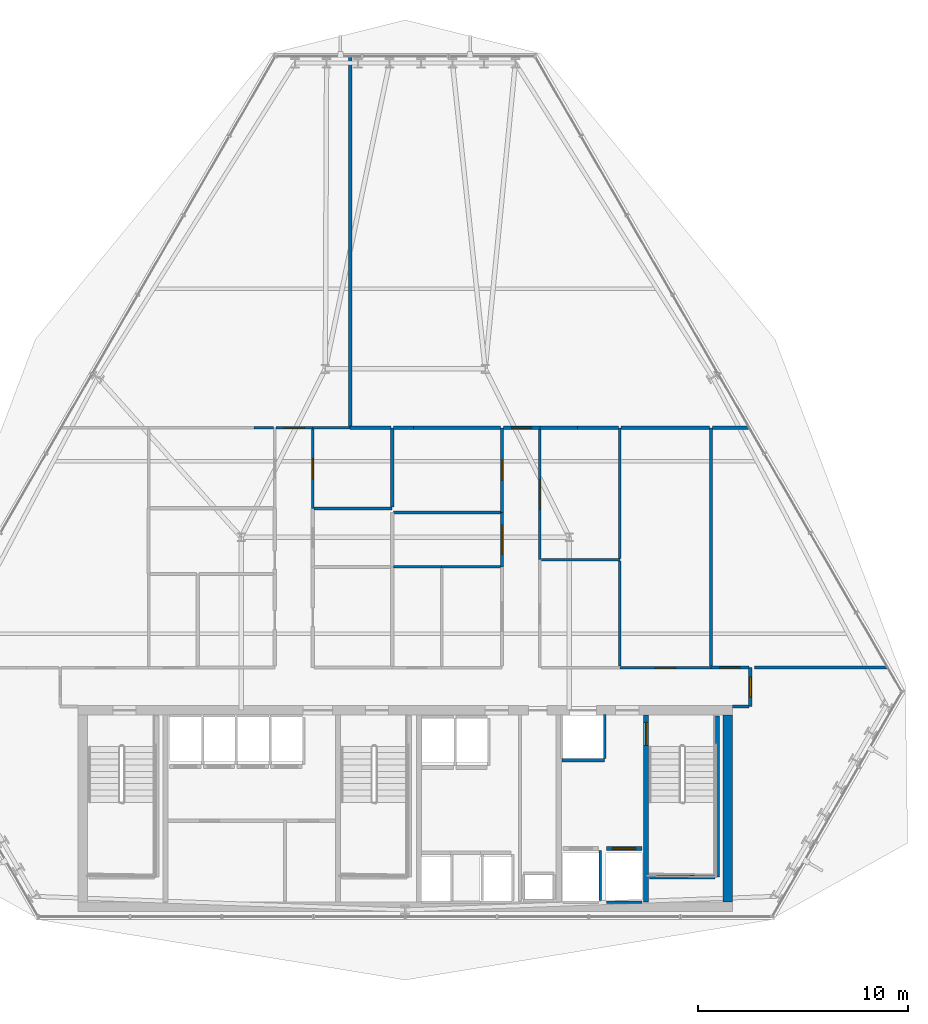
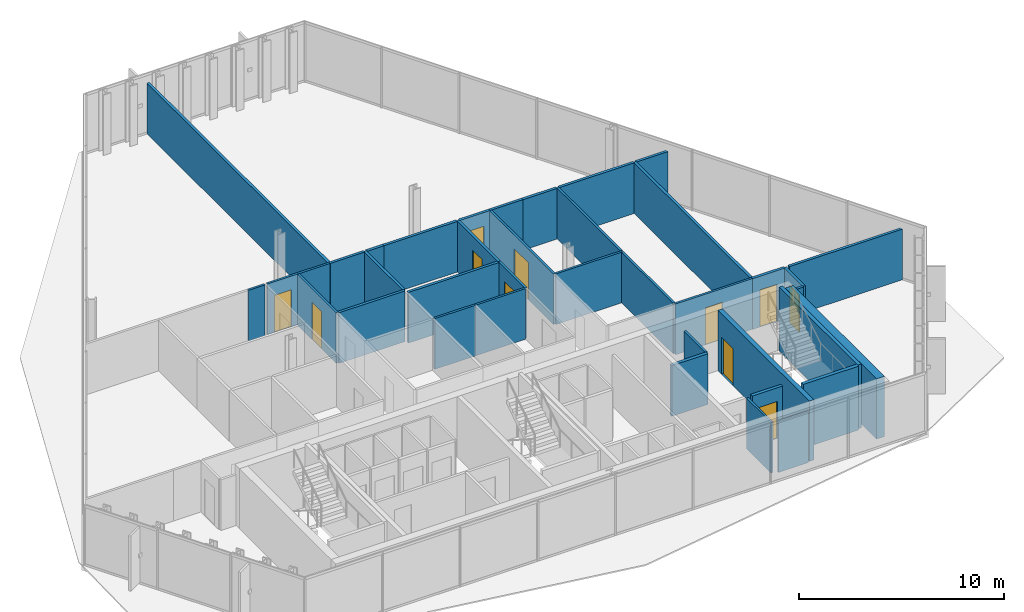
# One storey, part 29 of 36: 39 walls, 11 doors, 11 openings.
"""IFC4 building model written with IfcOpenShell, lengths in metres."""

from ifc_helpers import new_model, si_unit, direction, frame, frame_2d, origin, place, context, subcontext, project, spatial, rectangle, extrude, material, layer, layer_set, type_object, element, fill, save


model = new_model("IFC4")

# Units and contexts
model_context = context("Model", 3, precision=1e-05, world=origin(), true_north=direction((0.0, 1.0)))
body_context = subcontext(model_context, "Body", "Model", "MODEL_VIEW")
ifc_project = project(units=[si_unit("LENGTHUNIT", "METRE"), si_unit("AREAUNIT", "SQUARE_METRE"), si_unit("VOLUMEUNIT", "CUBIC_METRE"), si_unit("PLANEANGLEUNIT", "RADIAN"), si_unit("MASSUNIT", "GRAM", prefix="KILO")], contexts=[model_context])

# Site, building, storey
site_placement = place(None, origin())
site = spatial("IfcSite", under=ifc_project, at=site_placement, CompositionType="ELEMENT")
building_placement = place(site_placement, origin())
building = spatial("IfcBuilding", under=site, at=building_placement, Name="Ndaravel Arena Tower", CompositionType="ELEMENT")
storey_placement = place(building_placement, frame((0.0, 0.0, 127.0)))
storey = spatial("IfcBuildingStorey", under=building, at=storey_placement, Name="L29", CompositionType="ELEMENT", Elevation=127.0)

# Wall, opening, door
ifc_material_1 = material(Name="Concrete C60/75", Category="concrete")
ifc_layer_1 = layer(ifc_material_1, 0.25)
ifc_layer_set_1 = layer_set([ifc_layer_1], Name="Concrete C60/75")
wall_type_1 = type_object("IfcWallType", Name="WALL-CORE-250", PredefinedType="SOLIDWALL", material=ifc_layer_set_1)
wall_1_placement = place(storey_placement, frame((53.449951171875, 5.85009765625, 0.0), z_axis=(0.0, 0.0, 1.0), x_axis=(0.0, 1.0, 0.0)))
wall_1 = element("IfcWall", 1, at=wall_1_placement, inside=storey, type_object=wall_type_1, Name="L29 Core Web Shear Wall 5", PredefinedType="SOLIDWALL", context=body_context, shape_type="SweptSolid", body=[
    extrude(rectangle(XDim=8.89990234375, YDim=0.25, at=frame_2d((4.449951171875, 0.0))), origin(), (0.0, 0.0, 1.0), 3.580078125),
])
opening_1_placement = place(wall_1_placement, frame((7.449951171875, 0.0, 0.0)))
opening_1 = element("IfcOpeningElement", 2, at=opening_1_placement, cuts=wall_1, Name="Opening FD-01", PredefinedType="OPENING", context=body_context, shape_type="SweptSolid", body=[
    extrude(rectangle(XDim=1.10009765625, YDim=2.199951171875, at=frame_2d((0.550048828125, 1.10009765625))), frame((0.0, 0.125, 0.0), z_axis=(0.0, -1.0, 0.0), x_axis=(1.0, 0.0, 0.0)), (0.0, 0.0, 1.0), 0.25),
])
ifc_material_2 = material(Name="Steel S355", Category="steel")
door_type_1 = type_object("IfcDoorType", Name="DT-01-STAIR-1100", OperationType="SINGLE_SWING_LEFT", PredefinedType="DOOR", material=ifc_material_2)
door_1_placement = place(opening_1_placement, origin())
door_1 = element("IfcDoor", 3, at=door_1_placement, inside=storey, type_object=door_type_1, Name="L29 Firefighting Lobby to ST-3 Door", OperationType="SINGLE_SWING_LEFT", OverallHeight=2.199951171875, OverallWidth=1.10009765625, PredefinedType="DOOR", context=body_context, shape_type="SweptSolid", body=[
    extrude(rectangle(XDim=1.10009765625, YDim=2.199951171875, at=frame_2d((0.550048828125, 1.10009765625))), frame((0.0, 0.02490234375, 0.0), z_axis=(0.0, -1.0, 0.0), x_axis=(1.0, 0.0, 0.0)), (0.0, 0.0, 1.0), 0.050048828125),
])
fill(opening_1, door_1)

# Wall
ifc_material_3 = material(Name="Concrete C60/75", Category="concrete")
ifc_layer_2 = layer(ifc_material_3, 0.449951171875)
ifc_layer_set_2 = layer_set([ifc_layer_2], Name="Concrete C60/75")
wall_type_2 = type_object("IfcWallType", Name="WALL-CORE-450", PredefinedType="SOLIDWALL", material=ifc_layer_set_2)
wall_2_placement = place(storey_placement, frame((57.324951171875, 5.85009765625, 0.0), z_axis=(0.0, 0.0, 1.0), x_axis=(0.0, 1.0, 0.0)))
element("IfcWall", 4, at=wall_2_placement, inside=storey, type_object=wall_type_2, Name="L29 Core East Shear Wall", PredefinedType="SOLIDWALL", context=body_context, shape_type="SweptSolid", body=[
    extrude(rectangle(XDim=8.89990234375, YDim=0.449951171875, at=frame_2d((4.449951171875, 0.0))), origin(), (0.0, 0.0, 1.0), 3.580078125),
])

# Wall, opening, door
ifc_material_4 = material(Name="Gypsum", Category="gypsum")
ifc_layer_3 = layer(ifc_material_4, 0.125)
ifc_layer_set_3 = layer_set([ifc_layer_3], Name="Gypsum")
wall_type_3 = type_object("IfcWallType", Name="WALL-PART-125", PredefinedType="PARTITIONING", material=ifc_layer_set_3)
wall_3_placement = place(storey_placement, frame((35.864990234375, 28.39990234375, 0.0), z_axis=(0.0, 0.0, 1.0), x_axis=(1.0, 0.0, 0.0)))
wall_3 = element("IfcWall", 5, at=wall_3_placement, inside=storey, type_object=wall_type_3, Name="L29 Interior Partition 011", PredefinedType="PARTITIONING", context=body_context, shape_type="SweptSolid", body=[
    extrude(rectangle(XDim=1.735107421875, YDim=0.125, at=frame_2d((0.86767578125, 0.0))), origin(), (0.0, 0.0, 1.0), 3.010498046875),
])
opening_2_placement = place(wall_3_placement, frame((0.392578125, 0.0, 0.0)))
opening_2 = element("IfcOpeningElement", 6, at=opening_2_placement, cuts=wall_3, Name="Opening ID-01", PredefinedType="OPENING", context=body_context, shape_type="SweptSolid", body=[
    extrude(rectangle(XDim=0.949951171875, YDim=2.199951171875, at=frame_2d((0.47509765625, 1.10009765625))), frame((0.0, 0.0625, 0.0), z_axis=(0.0, -1.0, 0.0), x_axis=(1.0, 0.0, 0.0)), (0.0, 0.0, 1.0), 0.125),
])
ifc_material_5 = material(Name="Timber", Category="wood")
door_type_2 = type_object("IfcDoorType", Name="DT-03-OFFICE-950", OperationType="SINGLE_SWING_LEFT", PredefinedType="DOOR", material=ifc_material_5)
door_2_placement = place(opening_2_placement, origin())
door_2 = element("IfcDoor", 7, at=door_2_placement, inside=storey, type_object=door_type_2, Name="L29 Training Classroom 8 Door", OperationType="SINGLE_SWING_RIGHT", OverallHeight=2.199951171875, OverallWidth=0.949951171875, PredefinedType="DOOR", context=body_context, shape_type="SweptSolid", body=[
    extrude(rectangle(XDim=0.949951171875, YDim=2.199951171875, at=frame_2d((0.47509765625, 1.10009765625))), frame((0.0, 0.02490234375, 0.0), z_axis=(0.0, -1.0, 0.0), x_axis=(1.0, 0.0, 0.0)), (0.0, 0.0, 1.0), 0.050048828125),
])
fill(opening_2, door_2)

wall_4_placement = place(storey_placement, frame((37.60009765625, 28.3349609375, 0.0), z_axis=(0.0, 0.0, 1.0), x_axis=(0.0, -1.0, 0.0)))
wall_4 = element("IfcWall", 8, at=wall_4_placement, inside=storey, type_object=wall_type_3, Name="L29 Interior Partition 012", PredefinedType="PARTITIONING", context=body_context, shape_type="SweptSolid", body=[
    extrude(rectangle(XDim=3.77001953125, YDim=0.125, at=frame_2d((1.885009765625, 0.0))), origin(), (0.0, 0.0, 1.0), 3.010498046875),
])
opening_3_placement = place(wall_4_placement, frame((1.409912109375, 0.0, 0.0)))
opening_3 = element("IfcOpeningElement", 9, at=opening_3_placement, cuts=wall_4, Name="Opening ID-01", PredefinedType="OPENING", context=body_context, shape_type="SweptSolid", body=[
    extrude(rectangle(XDim=0.949951171875, YDim=2.199951171875, at=frame_2d((0.47509765625, 1.10009765625))), frame((0.0, 0.0625, 0.0), z_axis=(0.0, -1.0, 0.0), x_axis=(1.0, 0.0, 0.0)), (0.0, 0.0, 1.0), 0.125),
])
door_3_placement = place(opening_3_placement, origin())
door_3 = element("IfcDoor", 10, at=door_3_placement, inside=storey, type_object=door_type_2, Name="L29 Project Seminar Room 7 Door", OperationType="SINGLE_SWING_RIGHT", OverallHeight=2.199951171875, OverallWidth=0.949951171875, PredefinedType="DOOR", context=body_context, shape_type="SweptSolid", body=[
    extrude(rectangle(XDim=0.949951171875, YDim=2.199951171875, at=frame_2d((0.47509765625, 1.10009765625))), frame((0.0, 0.02490234375, 0.0), z_axis=(0.0, -1.0, 0.0), x_axis=(1.0, 0.0, 0.0)), (0.0, 0.0, 1.0), 0.050048828125),
])
fill(opening_3, door_3)

wall_5_placement = place(storey_placement, frame((46.60009765625, 21.7880859375, 0.0), z_axis=(0.0, 0.0, 1.0), x_axis=(0.0, 1.0, 0.0)))
wall_5 = element("IfcWall", 11, at=wall_5_placement, inside=storey, type_object=wall_type_3, Name="L29 Interior Partition 019", PredefinedType="PARTITIONING", context=body_context, shape_type="SweptSolid", body=[
    extrude(rectangle(XDim=2.57861328125, YDim=0.125, at=frame_2d((1.289306640625, 0.0))), origin(), (0.0, 0.0, 1.0), 3.010498046875),
])
opening_4_placement = place(wall_5_placement, frame((0.58935546875, 0.0, 0.0)))
opening_4 = element("IfcOpeningElement", 12, at=opening_4_placement, cuts=wall_5, Name="Opening ID-02", PredefinedType="OPENING", context=body_context, shape_type="SweptSolid", body=[
    extrude(rectangle(XDim=1.39990234375, YDim=2.199951171875, at=frame_2d((0.699951171875, 1.10009765625))), frame((0.0, 0.0625, 0.0), z_axis=(0.0, -1.0, 0.0), x_axis=(1.0, 0.0, 0.0)), (0.0, 0.0, 1.0), 0.125),
])
ifc_material_6 = material(Name="Timber", Category="wood")
door_type_3 = type_object("IfcDoorType", Name="DT-04-SUITE-1400", OperationType="DOUBLE_DOOR_SINGLE_SWING", PredefinedType="DOOR", material=ifc_material_6)
door_4_placement = place(opening_4_placement, origin())
door_4 = element("IfcDoor", 13, at=door_4_placement, inside=storey, type_object=door_type_3, Name="L29 Executive Boardroom 5 Door", OperationType="SINGLE_SWING_RIGHT", OverallHeight=2.199951171875, OverallWidth=1.39990234375, PredefinedType="DOOR", context=body_context, shape_type="SweptSolid", body=[
    extrude(rectangle(XDim=1.39990234375, YDim=2.199951171875, at=frame_2d((0.699951171875, 1.10009765625))), frame((0.0, 0.02490234375, 0.0), z_axis=(0.0, -1.0, 0.0), x_axis=(1.0, 0.0, 0.0)), (0.0, 0.0, 1.0), 0.050048828125),
])
fill(opening_4, door_4)

wall_6_placement = place(storey_placement, frame((48.39990234375, 28.3349609375, 0.0), z_axis=(0.0, 0.0, 1.0), x_axis=(0.0, -1.0, 0.0)))
wall_6 = element("IfcWall", 14, at=wall_6_placement, inside=storey, type_object=wall_type_3, Name="L29 Interior Partition 022", PredefinedType="PARTITIONING", context=body_context, shape_type="SweptSolid", body=[
    extrude(rectangle(XDim=6.205078125, YDim=0.125, at=frame_2d((3.1025390625, 0.0))), origin(), (0.0, 0.0, 1.0), 3.010498046875),
])
opening_5_placement = place(wall_6_placement, frame((2.402587890625, 0.0, 0.0)))
opening_5 = element("IfcOpeningElement", 15, at=opening_5_placement, cuts=wall_6, Name="Opening ID-02", PredefinedType="OPENING", context=body_context, shape_type="SweptSolid", body=[
    extrude(rectangle(XDim=1.39990234375, YDim=2.199951171875, at=frame_2d((0.699951171875, 1.10009765625))), frame((0.0, 0.0625, 0.0), z_axis=(0.0, -1.0, 0.0), x_axis=(1.0, 0.0, 0.0)), (0.0, 0.0, 1.0), 0.125),
])
door_5_placement = place(opening_5_placement, origin())
door_5 = element("IfcDoor", 16, at=door_5_placement, inside=storey, type_object=door_type_3, Name="L29 Client Conference Room 6 Door", OperationType="SINGLE_SWING_RIGHT", OverallHeight=2.199951171875, OverallWidth=1.39990234375, PredefinedType="DOOR", context=body_context, shape_type="SweptSolid", body=[
    extrude(rectangle(XDim=1.39990234375, YDim=2.199951171875, at=frame_2d((0.699951171875, 1.10009765625))), frame((0.0, 0.02490234375, 0.0), z_axis=(0.0, -1.0, 0.0), x_axis=(1.0, 0.0, 0.0)), (0.0, 0.0, 1.0), 0.050048828125),
])
fill(opening_5, door_5)

wall_7_placement = place(storey_placement, frame((52.199951171875, 17.0, 0.0), z_axis=(0.0, 0.0, 1.0), x_axis=(1.0, 0.0, 0.0)))
wall_7 = element("IfcWall", 17, at=wall_7_placement, inside=storey, type_object=wall_type_3, Name="L29 Interior Partition 025", PredefinedType="PARTITIONING", context=body_context, shape_type="SweptSolid", body=[
    extrude(rectangle(XDim=4.33251953125, YDim=0.125, at=frame_2d((2.166259765625, 0.0))), origin(), (0.0, 0.0, 1.0), 3.010498046875),
])
opening_6_placement = place(wall_7_placement, frame((1.691162109375, 0.0, 0.0)))
opening_6 = element("IfcOpeningElement", 18, at=opening_6_placement, cuts=wall_7, Name="Opening ID-01", PredefinedType="OPENING", context=body_context, shape_type="SweptSolid", body=[
    extrude(rectangle(XDim=0.949951171875, YDim=2.199951171875, at=frame_2d((0.47509765625, 1.10009765625))), frame((0.0, 0.0625, 0.0), z_axis=(0.0, -1.0, 0.0), x_axis=(1.0, 0.0, 0.0)), (0.0, 0.0, 1.0), 0.125),
])
door_6_placement = place(opening_6_placement, origin())
door_6 = element("IfcDoor", 19, at=door_6_placement, inside=storey, type_object=door_type_2, Name="L29 Training Classroom 4 Door", OperationType="SINGLE_SWING_RIGHT", OverallHeight=2.199951171875, OverallWidth=0.949951171875, PredefinedType="DOOR", context=body_context, shape_type="SweptSolid", body=[
    extrude(rectangle(XDim=0.949951171875, YDim=2.199951171875, at=frame_2d((0.47509765625, 1.10009765625))), frame((0.0, 0.02490234375, 0.0), z_axis=(0.0, -1.0, 0.0), x_axis=(1.0, 0.0, 0.0)), (0.0, 0.0, 1.0), 0.050048828125),
])
fill(opening_6, door_6)

# Walls
wall_8_placement = place(storey_placement, frame((41.445068359375, 21.7880859375, 0.0), z_axis=(0.0, 0.0, 1.0), x_axis=(1.0, 0.0, 0.0)))
element("IfcWall", 20, at=wall_8_placement, inside=storey, type_object=wall_type_3, Name="L29 Interior Partition 036", PredefinedType="PARTITIONING", context=body_context, shape_type="SweptSolid", body=[
    extrude(rectangle(XDim=2.283935546875, YDim=0.125, at=frame_2d((1.14208984375, 0.0))), origin(), (0.0, 0.0, 1.0), 3.010498046875),
])
wall_9_placement = place(storey_placement, frame((43.72900390625, 21.7880859375, 0.0), z_axis=(0.0, 0.0, 1.0), x_axis=(1.0, 0.0, 0.0)))
element("IfcWall", 21, at=wall_9_placement, inside=storey, type_object=wall_type_3, Name="L29 Interior Partition 038", PredefinedType="PARTITIONING", context=body_context, shape_type="SweptSolid", body=[
    extrude(rectangle(XDim=2.805908203125, YDim=0.125, at=frame_2d((1.40283203125, 0.0))), origin(), (0.0, 0.0, 1.0), 3.010498046875),
])
wall_10_placement = place(storey_placement, frame((48.465087890625, 22.1298828125, 0.0), z_axis=(0.0, 0.0, 1.0), x_axis=(1.0, 0.0, 0.0)))
element("IfcWall", 22, at=wall_10_placement, inside=storey, type_object=wall_type_3, Name="L29 Interior Partition 039", PredefinedType="PARTITIONING", context=body_context, shape_type="SweptSolid", body=[
    extrude(rectangle(XDim=3.73486328125, YDim=0.125, at=frame_2d((1.867431640625, 0.0))), origin(), (0.0, 0.0, 1.0), 3.010498046875),
])
wall_11_placement = place(storey_placement, frame((52.199951171875, 22.06494140625, 0.0), z_axis=(0.0, 0.0, 1.0), x_axis=(0.0, -1.0, 0.0)))
element("IfcWall", 23, at=wall_11_placement, inside=storey, type_object=wall_type_3, Name="L29 Interior Partition 040", PredefinedType="PARTITIONING", context=body_context, shape_type="SweptSolid", body=[
    extrude(rectangle(XDim=5.0, YDim=0.125, at=frame_2d((2.5, 0.0))), origin(), (0.0, 0.0, 1.0), 3.010498046875),
])
wall_12_placement = place(storey_placement, frame((52.199951171875, 22.195068359375, 0.0), z_axis=(0.0, 0.0, 1.0), x_axis=(0.0, 1.0, 0.0)))
element("IfcWall", 24, at=wall_12_placement, inside=storey, type_object=wall_type_3, Name="L29 Interior Partition 046", PredefinedType="PARTITIONING", context=body_context, shape_type="SweptSolid", body=[
    extrude(rectangle(XDim=6.204833984375, YDim=0.125, at=frame_2d((3.1025390625, 0.0))), origin(), (0.0, 0.0, 1.0), 3.010498046875),
])
wall_13_placement = place(storey_placement, frame((37.60009765625, 28.39990234375, 0.0), z_axis=(0.0, 0.0, 1.0), x_axis=(1.0, 0.0, 0.0)))
element("IfcWall", 25, at=wall_13_placement, inside=storey, type_object=wall_type_3, Name="L29 Interior Partition 057", PredefinedType="PARTITIONING", context=body_context, shape_type="SweptSolid", body=[
    extrude(rectangle(XDim=1.7822265625, YDim=0.125, at=frame_2d((0.89111328125, 0.0))), origin(), (0.0, 0.0, 1.0), 3.010498046875),
])
wall_14_placement = place(storey_placement, frame((34.800048828125, 28.39990234375, 0.0), z_axis=(0.0, 0.0, 1.0), x_axis=(1.0, 0.0, 0.0)))
element("IfcWall", 26, at=wall_14_placement, inside=storey, type_object=wall_type_3, Name="L29 Interior Partition 060", PredefinedType="PARTITIONING", context=body_context, shape_type="SweptSolid", body=[
    extrude(rectangle(XDim=0.93505859375, YDim=0.125, at=frame_2d((0.467529296875, 0.0))), origin(), (0.0, 0.0, 1.0), 3.010498046875),
])
ifc_material_7 = material(Name="Concrete C40/50", Category="concrete")
ifc_layer_4 = layer(ifc_material_7, 0.1201171875)
ifc_layer_set_4 = layer_set([ifc_layer_4], Name="Concrete C40/50")
wall_type_4 = type_object("IfcWallType", Name="WALL-SHAFT-120", PredefinedType="SOLIDWALL", material=ifc_layer_set_4)
wall_15_placement = place(storey_placement, frame((51.27490234375, 5.929931640625, 0.0), z_axis=(0.0, 0.0, 1.0), x_axis=(0.0, 1.0, 0.0)))
element("IfcWall", 27, at=wall_15_placement, inside=storey, type_object=wall_type_4, Name="L29 FFL-1 Shaft Side R Wall", PredefinedType="SOLIDWALL", context=body_context, shape_type="SweptSolid", body=[
    extrude(rectangle(XDim=2.380126953125, YDim=0.1201171875, at=frame_2d((1.18994140625, 0.0))), origin(), (0.0, 0.0, 1.0), 3.010498046875),
])
wall_16_placement = place(storey_placement, frame((51.554931640625, 5.840087890625, 0.0), z_axis=(0.0, 0.0, 1.0), x_axis=(1.0, 0.0, 0.0)))
element("IfcWall", 28, at=wall_16_placement, inside=storey, type_object=wall_type_4, Name="L29 FFL-2 Shaft Rear Wall", PredefinedType="SOLIDWALL", context=body_context, shape_type="SweptSolid", body=[
    extrude(rectangle(XDim=1.690185546875, YDim=0.1201171875, at=frame_2d((0.84521484375, 0.0))), origin(), (0.0, 0.0, 1.0), 3.010498046875),
])
wall_17_placement = place(storey_placement, frame((51.47998046875, 12.68994140625, 0.0), z_axis=(0.0, 0.0, 1.0), x_axis=(0.0, 1.0, 0.0)))
element("IfcWall", 29, at=wall_17_placement, inside=storey, type_object=wall_type_4, Name="L29 SVL-1 Shaft E Wall", PredefinedType="SOLIDWALL", context=body_context, shape_type="SweptSolid", body=[
    extrude(rectangle(XDim=2.070068359375, YDim=0.1201171875, at=frame_2d((1.03515625, 0.0))), origin(), (0.0, 0.0, 1.0), 3.010498046875),
])
ifc_material_8 = material(Name="Concrete C40/50", Category="concrete")
ifc_layer_5 = layer(ifc_material_8, 0.199951171875)
ifc_layer_set_5 = layer_set([ifc_layer_5], Name="Concrete C40/50")
wall_type_5 = type_object("IfcWallType", Name="WALL-SHAFT-200", PredefinedType="SOLIDWALL", material=ifc_layer_set_5)
wall_18_placement = place(storey_placement, frame((56.840087890625, 14.699951171875, 0.0), z_axis=(0.0, 0.0, 1.0), x_axis=(0.0, -1.0, 0.0)))
element("IfcWall", 30, at=wall_18_placement, inside=storey, type_object=wall_type_5, Name="L29 ST-3 Structural Shaft Wall Right", PredefinedType="SOLIDWALL", context=body_context, shape_type="SweptSolid", body=[
    extrude(rectangle(XDim=7.64990234375, YDim=0.199951171875, at=frame_2d((3.824951171875, 0.0))), origin(), (0.0, 0.0, 1.0), 3.800048828125),
])
wall_19_placement = place(storey_placement, frame((53.6201171875, 7.050048828125, 0.0), z_axis=(0.0, 0.0, 1.0), x_axis=(1.0, 0.0, 0.0)))
element("IfcWall", 31, at=wall_19_placement, inside=storey, type_object=wall_type_5, Name="L29 ST-3 Structural Shaft Wall Far", PredefinedType="SOLIDWALL", context=body_context, shape_type="SweptSolid", body=[
    extrude(rectangle(XDim=3.114990234375, YDim=0.199951171875, at=frame_2d((1.5576171875, 0.0))), origin(), (0.0, 0.0, 1.0), 3.800048828125),
])

# Wall, opening, door
wall_20_placement = place(storey_placement, frame((51.554931640625, 8.39990234375, 0.0), z_axis=(0.0, 0.0, 1.0), x_axis=(1.0, 0.0, 0.0)))
wall_20 = element("IfcWall", 32, at=wall_20_placement, inside=storey, type_object=wall_type_5, Name="L29 FFL-2 Shaft Landing Wall", PredefinedType="SOLIDWALL", context=body_context, shape_type="SweptSolid", body=[
    extrude(rectangle(XDim=1.690185546875, YDim=0.179931640625, at=frame_2d((0.84521484375, 0.0))), origin(), (0.0, 0.0, 1.0), 3.010498046875),
])
opening_7_placement = place(wall_20_placement, frame((0.294921875, 0.0, 0.0)))
opening_7 = element("IfcOpeningElement", 33, at=opening_7_placement, cuts=wall_20, Name="Opening LD-01", PredefinedType="OPENING", context=body_context, shape_type="SweptSolid", body=[
    extrude(rectangle(XDim=1.10009765625, YDim=2.199951171875, at=frame_2d((0.550048828125, 1.10009765625))), frame((0.0, 0.08984375, 0.0), z_axis=(0.0, -1.0, 0.0), x_axis=(1.0, 0.0, 0.0)), (0.0, 0.0, 1.0), 0.179931640625),
])
ifc_material_9 = material(Name="Steel S355", Category="steel")
door_type_4 = type_object("IfcDoorType", Name="DT-06-LIFT-1100", OperationType="SLIDING_TO_LEFT", PredefinedType="DOOR", material=ifc_material_9)
door_7_placement = place(opening_7_placement, origin())
door_7 = element("IfcDoor", 34, at=door_7_placement, inside=storey, type_object=door_type_4, Name="L29 Lift FFL-2 Sliding Landing Door", OperationType="SLIDING_TO_LEFT", OverallHeight=2.199951171875, OverallWidth=1.10009765625, PredefinedType="DOOR", context=body_context, shape_type="SweptSolid", body=[
    extrude(rectangle(XDim=1.10009765625, YDim=2.199951171875, at=frame_2d((0.550048828125, 1.10009765625))), frame((0.0, 0.02490234375, 0.0), z_axis=(0.0, -1.0, 0.0), x_axis=(1.0, 0.0, 0.0)), (0.0, 0.0, 1.0), 0.050048828125),
])
fill(opening_7, door_7)

# Wall
wall_21_placement = place(storey_placement, frame((49.43994140625, 12.594970703125, 0.0), z_axis=(0.0, 0.0, 1.0), x_axis=(1.0, 0.0, 0.0)))
element("IfcWall", 35, at=wall_21_placement, inside=storey, type_object=wall_type_5, Name="L29 SVL-1 Shaft South Wall", PredefinedType="SOLIDWALL", context=body_context, shape_type="SweptSolid", body=[
    extrude(rectangle(XDim=2.0400390625, YDim=0.179931640625, at=frame_2d((1.02001953125, 0.0))), origin(), (0.0, 0.0, 1.0), 3.010498046875),
])

# Wall, opening, door
ifc_material_10 = material(Name="Masonry", Category="masonry")
ifc_layer_6 = layer(ifc_material_10, 0.14990234375)
ifc_layer_set_6 = layer_set([ifc_layer_6], Name="Masonry")
wall_type_6 = type_object("IfcWallType", Name="WALL-WET-150", PredefinedType="PARTITIONING", material=ifc_layer_set_6)
wall_22_placement = place(storey_placement, frame((58.39990234375, 17.0, 0.0), z_axis=(0.0, 0.0, 1.0), x_axis=(0.0, -1.0, 0.0)))
wall_22 = element("IfcWall", 36, at=wall_22_placement, inside=storey, type_object=wall_type_6, Name="L29 Interior Partition 001", PredefinedType="PARTITIONING", context=body_context, shape_type="SweptSolid", body=[
    extrude(rectangle(XDim=1.85009765625, YDim=0.14990234375, at=frame_2d((0.925048828125, 0.0))), origin(), (0.0, 0.0, 1.0), 3.010498046875),
])
opening_8_placement = place(wall_22_placement, frame((0.449951171875, 0.0, 0.0)))
opening_8 = element("IfcOpeningElement", 37, at=opening_8_placement, cuts=wall_22, Name="Opening FD-03", PredefinedType="OPENING", context=body_context, shape_type="SweptSolid", body=[
    extrude(rectangle(XDim=0.949951171875, YDim=2.199951171875, at=frame_2d((0.47509765625, 1.10009765625))), frame((0.0, 0.074951171875, 0.0), z_axis=(0.0, -1.0, 0.0), x_axis=(1.0, 0.0, 0.0)), (0.0, 0.0, 1.0), 0.14990234375),
])
ifc_material_11 = material(Name="Steel S355", Category="steel")
door_type_5 = type_object("IfcDoorType", Name="DT-11-CORE-950", OperationType="SINGLE_SWING_LEFT", PredefinedType="DOOR", material=ifc_material_11)
door_8_placement = place(opening_8_placement, origin())
door_8 = element("IfcDoor", 38, at=door_8_placement, inside=storey, type_object=door_type_5, Name="L29 Staff Espresso Kitchen Door", OperationType="SINGLE_SWING_LEFT", OverallHeight=2.199951171875, OverallWidth=0.949951171875, PredefinedType="DOOR", context=body_context, shape_type="SweptSolid", body=[
    extrude(rectangle(XDim=0.949951171875, YDim=2.199951171875, at=frame_2d((0.47509765625, 1.10009765625))), frame((0.0, 0.02490234375, 0.0), z_axis=(0.0, -1.0, 0.0), x_axis=(1.0, 0.0, 0.0)), (0.0, 0.0, 1.0), 0.050048828125),
])
fill(opening_8, door_8)

# Wall
wall_23_placement = place(storey_placement, frame((58.3349609375, 15.14990234375, 0.0), z_axis=(0.0, 0.0, 1.0), x_axis=(-1.0, 0.0, 0.0)))
element("IfcWall", 39, at=wall_23_placement, inside=storey, type_object=wall_type_6, Name="L29 Interior Partition 002", PredefinedType="PARTITIONING", context=body_context, shape_type="SweptSolid", body=[
    extrude(rectangle(XDim=0.784912109375, YDim=0.14990234375, at=frame_2d((0.392578125, 0.0))), origin(), (0.0, 0.0, 1.0), 3.010498046875),
])

# Wall, opening, door
wall_24_placement = place(storey_placement, frame((46.60009765625, 24.36669921875, 0.0), z_axis=(0.0, 0.0, 1.0), x_axis=(0.0, 1.0, 0.0)))
wall_24 = element("IfcWall", 40, at=wall_24_placement, inside=storey, type_object=wall_type_6, Name="L29 Interior Partition 020", PredefinedType="PARTITIONING", context=body_context, shape_type="SweptSolid", body=[
    extrude(rectangle(XDim=4.033203125, YDim=0.14990234375, at=frame_2d((2.0166015625, 0.0))), origin(), (0.0, 0.0, 1.0), 3.010498046875),
])
opening_9_placement = place(wall_24_placement, frame((1.54150390625, 0.0, 0.0)))
opening_9 = element("IfcOpeningElement", 41, at=opening_9_placement, cuts=wall_24, Name="Opening FD-03", PredefinedType="OPENING", context=body_context, shape_type="SweptSolid", body=[
    extrude(rectangle(XDim=0.949951171875, YDim=2.199951171875, at=frame_2d((0.47509765625, 1.10009765625))), frame((0.0, 0.074951171875, 0.0), z_axis=(0.0, -1.0, 0.0), x_axis=(1.0, 0.0, 0.0)), (0.0, 0.0, 1.0), 0.14990234375),
])
door_9_placement = place(opening_9_placement, origin())
door_9 = element("IfcDoor", 42, at=door_9_placement, inside=storey, type_object=door_type_5, Name="L29 Catering Pantry 6 Door", OperationType="SINGLE_SWING_LEFT", OverallHeight=2.199951171875, OverallWidth=0.949951171875, PredefinedType="DOOR", context=body_context, shape_type="SweptSolid", body=[
    extrude(rectangle(XDim=0.949951171875, YDim=2.199951171875, at=frame_2d((0.47509765625, 1.10009765625))), frame((0.0, 0.02490234375, 0.0), z_axis=(0.0, -1.0, 0.0), x_axis=(1.0, 0.0, 0.0)), (0.0, 0.0, 1.0), 0.050048828125),
])
fill(opening_9, door_9)

wall_25_placement = place(storey_placement, frame((46.6650390625, 28.39990234375, 0.0), z_axis=(0.0, 0.0, 1.0), x_axis=(1.0, 0.0, 0.0)))
wall_25 = element("IfcWall", 43, at=wall_25_placement, inside=storey, type_object=wall_type_6, Name="L29 Interior Partition 021", PredefinedType="PARTITIONING", context=body_context, shape_type="SweptSolid", body=[
    extrude(rectangle(XDim=1.73486328125, YDim=0.14990234375, at=frame_2d((0.867431640625, 0.0))), origin(), (0.0, 0.0, 1.0), 3.010498046875),
])
opening_10_placement = place(wall_25_placement, frame((0.392578125, 0.0, 0.0)))
opening_10 = element("IfcOpeningElement", 44, at=opening_10_placement, cuts=wall_25, Name="Opening FD-03", PredefinedType="OPENING", context=body_context, shape_type="SweptSolid", body=[
    extrude(rectangle(XDim=0.949951171875, YDim=2.199951171875, at=frame_2d((0.47509765625, 1.10009765625))), frame((0.0, 0.074951171875, 0.0), z_axis=(0.0, -1.0, 0.0), x_axis=(1.0, 0.0, 0.0)), (0.0, 0.0, 1.0), 0.14990234375),
])
door_10_placement = place(opening_10_placement, origin())
door_10 = element("IfcDoor", 45, at=door_10_placement, inside=storey, type_object=door_type_5, Name="L29 Floor Servery Kitchen 8 Door", OperationType="SINGLE_SWING_LEFT", OverallHeight=2.199951171875, OverallWidth=0.949951171875, PredefinedType="DOOR", context=body_context, shape_type="SweptSolid", body=[
    extrude(rectangle(XDim=0.949951171875, YDim=2.199951171875, at=frame_2d((0.47509765625, 1.10009765625))), frame((0.0, 0.02490234375, 0.0), z_axis=(0.0, -1.0, 0.0), x_axis=(1.0, 0.0, 0.0)), (0.0, 0.0, 1.0), 0.050048828125),
])
fill(opening_10, door_10)

wall_26_placement = place(storey_placement, frame((56.532470703125, 17.0, 0.0), z_axis=(0.0, 0.0, 1.0), x_axis=(1.0, 0.0, 0.0)))
wall_26 = element("IfcWall", 46, at=wall_26_placement, inside=storey, type_object=wall_type_6, Name="L29 Interior Partition 026", PredefinedType="PARTITIONING", context=body_context, shape_type="SweptSolid", body=[
    extrude(rectangle(XDim=1.802490234375, YDim=0.14990234375, at=frame_2d((0.9013671875, 0.0))), origin(), (0.0, 0.0, 1.0), 3.010498046875),
])
opening_11_placement = place(wall_26_placement, frame((0.42626953125, 0.0, 0.0)))
opening_11 = element("IfcOpeningElement", 47, at=opening_11_placement, cuts=wall_26, Name="Opening FD-03", PredefinedType="OPENING", context=body_context, shape_type="SweptSolid", body=[
    extrude(rectangle(XDim=0.949951171875, YDim=2.199951171875, at=frame_2d((0.47509765625, 1.10009765625))), frame((0.0, 0.074951171875, 0.0), z_axis=(0.0, -1.0, 0.0), x_axis=(1.0, 0.0, 0.0)), (0.0, 0.0, 1.0), 0.14990234375),
])
door_11_placement = place(opening_11_placement, origin())
door_11 = element("IfcDoor", 48, at=door_11_placement, inside=storey, type_object=door_type_5, Name="L29 Catering Pantry 2 Door", OperationType="SINGLE_SWING_RIGHT", OverallHeight=2.199951171875, OverallWidth=0.949951171875, PredefinedType="DOOR", context=body_context, shape_type="SweptSolid", body=[
    extrude(rectangle(XDim=0.949951171875, YDim=2.199951171875, at=frame_2d((0.47509765625, 1.10009765625))), frame((0.0, 0.02490234375, 0.0), z_axis=(0.0, -1.0, 0.0), x_axis=(1.0, 0.0, 0.0)), (0.0, 0.0, 1.0), 0.050048828125),
])
fill(opening_11, door_11)

# Walls
wall_27_placement = place(storey_placement, frame((58.60009765625, 17.0, 0.0), z_axis=(0.0, 0.0, 1.0), x_axis=(1.0, 0.0, 0.0)))
element("IfcWall", 49, at=wall_27_placement, inside=storey, type_object=wall_type_6, Name="L29 Interior Partition 029", PredefinedType="PARTITIONING", context=body_context, shape_type="SweptSolid", body=[
    extrude(rectangle(XDim=6.34228515625, YDim=0.14990234375, at=frame_2d((3.171142578125, 0.0))), origin(), (0.0, 0.0, 1.0), 3.010498046875),
])
wall_28_placement = place(storey_placement, frame((56.532470703125, 17.06494140625, 0.0), z_axis=(0.0, 0.0, 1.0), x_axis=(0.0, 1.0, 0.0)))
element("IfcWall", 50, at=wall_28_placement, inside=storey, type_object=wall_type_6, Name="L29 Interior Partition 041", PredefinedType="PARTITIONING", context=body_context, shape_type="SweptSolid", body=[
    extrude(rectangle(XDim=11.3349609375, YDim=0.14990234375, at=frame_2d((5.66748046875, 0.0))), origin(), (0.0, 0.0, 1.0), 3.010498046875),
])
wall_29_placement = place(storey_placement, frame((56.597412109375, 28.39990234375, 0.0), z_axis=(0.0, 0.0, 1.0), x_axis=(1.0, 0.0, 0.0)))
element("IfcWall", 51, at=wall_29_placement, inside=storey, type_object=wall_type_6, Name="L29 Interior Partition 042", PredefinedType="PARTITIONING", context=body_context, shape_type="SweptSolid", body=[
    extrude(rectangle(XDim=1.76318359375, YDim=0.14990234375, at=frame_2d((0.881591796875, 0.0))), origin(), (0.0, 0.0, 1.0), 3.010498046875),
])
wall_30_placement = place(storey_placement, frame((52.264892578125, 28.39990234375, 0.0), z_axis=(0.0, 0.0, 1.0), x_axis=(1.0, 0.0, 0.0)))
element("IfcWall", 52, at=wall_30_placement, inside=storey, type_object=wall_type_6, Name="L29 Interior Partition 047", PredefinedType="PARTITIONING", context=body_context, shape_type="SweptSolid", body=[
    extrude(rectangle(XDim=4.202392578125, YDim=0.14990234375, at=frame_2d((2.10107421875, 0.0))), origin(), (0.0, 0.0, 1.0), 3.010498046875),
])
wall_31_placement = place(storey_placement, frame((41.445068359375, 24.36669921875, 0.0), z_axis=(0.0, 0.0, 1.0), x_axis=(1.0, 0.0, 0.0)))
element("IfcWall", 53, at=wall_31_placement, inside=storey, type_object=wall_type_6, Name="L29 Interior Partition 050", PredefinedType="PARTITIONING", context=body_context, shape_type="SweptSolid", body=[
    extrude(rectangle(XDim=5.08984375, YDim=0.14990234375, at=frame_2d((2.544921875, 0.0))), origin(), (0.0, 0.0, 1.0), 3.010498046875),
])
wall_32_placement = place(storey_placement, frame((37.6650390625, 24.56494140625, 0.0), z_axis=(0.0, 0.0, 1.0), x_axis=(1.0, 0.0, 0.0)))
element("IfcWall", 54, at=wall_32_placement, inside=storey, type_object=wall_type_6, Name="L29 Interior Partition 051", PredefinedType="PARTITIONING", context=body_context, shape_type="SweptSolid", body=[
    extrude(rectangle(XDim=3.71484375, YDim=0.14990234375, at=frame_2d((1.857421875, 0.0))), origin(), (0.0, 0.0, 1.0), 3.010498046875),
])
wall_33_placement = place(storey_placement, frame((48.39990234375, 28.39990234375, 0.0), z_axis=(0.0, 0.0, 1.0), x_axis=(1.0, 0.0, 0.0)))
element("IfcWall", 55, at=wall_33_placement, inside=storey, type_object=wall_type_6, Name="L29 Interior Partition 052", PredefinedType="PARTITIONING", context=body_context, shape_type="SweptSolid", body=[
    extrude(rectangle(XDim=1.800048828125, YDim=0.14990234375, at=frame_2d((0.89990234375, 0.0))), origin(), (0.0, 0.0, 1.0), 3.010498046875),
])
wall_34_placement = place(storey_placement, frame((50.199951171875, 28.39990234375, 0.0), z_axis=(0.0, 0.0, 1.0), x_axis=(1.0, 0.0, 0.0)))
element("IfcWall", 56, at=wall_34_placement, inside=storey, type_object=wall_type_6, Name="L29 Interior Partition 053", PredefinedType="PARTITIONING", context=body_context, shape_type="SweptSolid", body=[
    extrude(rectangle(XDim=1.93505859375, YDim=0.14990234375, at=frame_2d((0.967529296875, 0.0))), origin(), (0.0, 0.0, 1.0), 3.010498046875),
])
wall_35_placement = place(storey_placement, frame((41.3798828125, 24.6298828125, 0.0), z_axis=(0.0, 0.0, 1.0), x_axis=(0.0, 1.0, 0.0)))
element("IfcWall", 57, at=wall_35_placement, inside=storey, type_object=wall_type_6, Name="L29 Interior Partition 054", PredefinedType="PARTITIONING", context=body_context, shape_type="SweptSolid", body=[
    extrude(rectangle(XDim=3.77001953125, YDim=0.14990234375, at=frame_2d((1.885009765625, 0.0))), origin(), (0.0, 0.0, 1.0), 3.010498046875),
])
wall_36_placement = place(storey_placement, frame((41.445068359375, 28.39990234375, 0.0), z_axis=(0.0, 0.0, 1.0), x_axis=(1.0, 0.0, 0.0)))
element("IfcWall", 58, at=wall_36_placement, inside=storey, type_object=wall_type_6, Name="L29 Interior Partition 055", PredefinedType="PARTITIONING", context=body_context, shape_type="SweptSolid", body=[
    extrude(rectangle(XDim=0.954833984375, YDim=0.14990234375, at=frame_2d((0.4775390625, 0.0))), origin(), (0.0, 0.0, 1.0), 3.010498046875),
])
wall_37_placement = place(storey_placement, frame((42.39990234375, 28.39990234375, 0.0), z_axis=(0.0, 0.0, 1.0), x_axis=(1.0, 0.0, 0.0)))
element("IfcWall", 59, at=wall_37_placement, inside=storey, type_object=wall_type_6, Name="L29 Interior Partition 056", PredefinedType="PARTITIONING", context=body_context, shape_type="SweptSolid", body=[
    extrude(rectangle(XDim=4.135009765625, YDim=0.14990234375, at=frame_2d((2.0673828125, 0.0))), origin(), (0.0, 0.0, 1.0), 3.010498046875),
])
wall_38_placement = place(storey_placement, frame((39.38232421875, 28.39990234375, 0.0), z_axis=(0.0, 0.0, 1.0), x_axis=(1.0, 0.0, 0.0)))
element("IfcWall", 60, at=wall_38_placement, inside=storey, type_object=wall_type_6, Name="L29 Interior Partition 058", PredefinedType="PARTITIONING", context=body_context, shape_type="SweptSolid", body=[
    extrude(rectangle(XDim=1.9326171875, YDim=0.14990234375, at=frame_2d((0.96630859375, 0.0))), origin(), (0.0, 0.0, 1.0), 3.010498046875),
])
wall_39_placement = place(storey_placement, frame((39.38232421875, 46.05615234375, 0.0), z_axis=(0.0, 0.0, 1.0), x_axis=(0.0, -1.0, 0.0)))
element("IfcWall", 61, at=wall_39_placement, inside=storey, type_object=wall_type_6, Name="L29 Interior Partition 061", PredefinedType="PARTITIONING", context=body_context, shape_type="SweptSolid", body=[
    extrude(rectangle(XDim=17.591064453125, YDim=0.14990234375, at=frame_2d((8.79541015625, 0.0))), origin(), (0.0, 0.0, 1.0), 3.010498046875),
])

save(model, "model.ifc")
